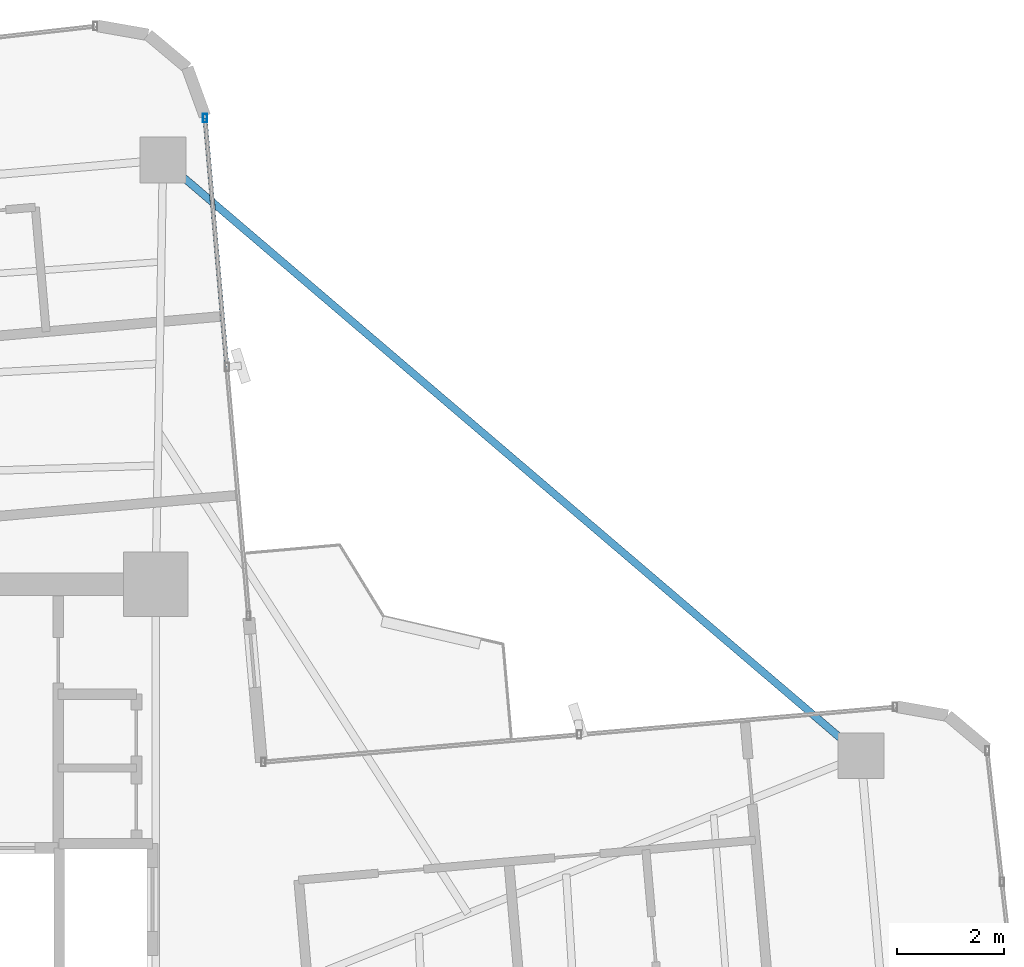
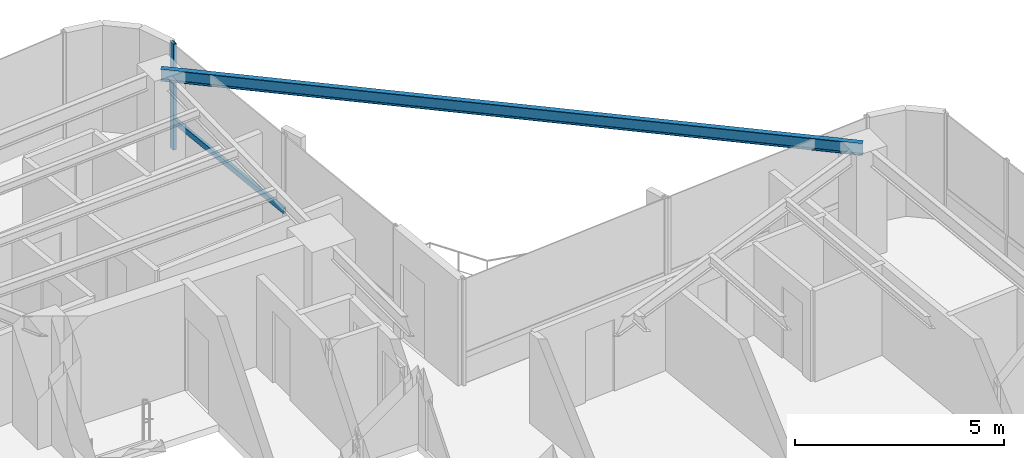
# One storey, part 17 of 24: 2 members, 1 beam, 1 element without a shape of its own.
"""IFC4 building model written with IfcOpenShell, lengths in metres."""

from ifc_helpers import new_model, si_unit, direction, frame, origin, origin_2d, place, context, subcontext, project, spatial, hollow_rectangle, i_section, extrude, source, transform, mapped, material, material_profile, profile_set, type_object, element, aggregate, save


model = new_model("IFC4")

# Units and contexts
model_context = context("Model", 3, precision=1e-05, world=origin(), true_north=direction((0.0, 1.0)))
body_context = subcontext(model_context, "Body", "Model", "MODEL_VIEW")
ifc_project = project(units=[si_unit("LENGTHUNIT", "METRE"), si_unit("AREAUNIT", "SQUARE_METRE"), si_unit("VOLUMEUNIT", "CUBIC_METRE"), si_unit("PLANEANGLEUNIT", "RADIAN"), si_unit("MASSUNIT", "GRAM", prefix="KILO")], contexts=[model_context])

# Site, building, storey
site_placement = place(None, origin())
site = spatial("IfcSite", under=ifc_project, at=site_placement, CompositionType="ELEMENT")
building_placement = place(site_placement, origin())
building = spatial("IfcBuilding", under=site, at=building_placement, Name="Sahyath Konkavel Grand Hotel", CompositionType="ELEMENT")
storey_placement = place(building_placement, frame((0.0, 0.0, 153.949951171875)))
storey = spatial("IfcBuildingStorey", under=building, at=storey_placement, Name="L42", CompositionType="ELEMENT", Elevation=153.949951171875)

# Beam
ifc_material_1 = material(Name="Steel E350", Category="steel")
ifc_material_profile_1 = material_profile(ifc_material_1, i_section(OverallWidth=0.139892578125, OverallDepth=0.35009765625, WebThickness=0.008056640625, FlangeThickness=0.01416015625, FilletRadius=0.013916015625, at=origin_2d()), Name="ISMB 350")
ifc_profile_set_1 = profile_set([ifc_material_profile_1], Name="Steel E350")
beam_type = type_object("IfcBeamType", Name="BM-ISMB350", PredefinedType="BEAM", material=ifc_profile_set_1)
shared_shape_1 = source(origin(), body_context, "Body", "SweptSolid", [
    extrude(i_section(OverallWidth=0.139892578125, OverallDepth=0.35009765625, WebThickness=0.008056640625, FlangeThickness=0.01416015625, FilletRadius=0.013916015625, at=origin_2d()), origin(), (0.0, 0.0, 1.0), 17.11279296875),
])
beam_placement = place(storey_placement, frame((16.9541015625, 7.00439453125, 2.93505859375), z_axis=(-0.760711911164, 0.649089661151, 0.0), x_axis=(-0.649089661151, -0.760711911164, 0.0)))
element("IfcBeam", 1, at=beam_placement, inside=storey, type_object=beam_type, Name="L42 Re-Entrant Tie Beam NE", PredefinedType="BEAM", context=body_context, shape_type="MappedRepresentation", body=[
    mapped(shared_shape_1, transform((0.0, 0.0, 0.0), scale=1.0)),
])

# Curtain wall, members
ifc_material_2 = material(Name="Anodised Bronze Aluminium & Low-E Glazing", Category="aluminium")
curtain_wall_type = type_object("IfcCurtainWallType", Name="CW-ZONE3", PredefinedType="NOTDEFINED", material=ifc_material_2)
curtain_wall_placement = place(storey_placement, origin())
curtain_wall = element("IfcCurtainWall", 2, at=curtain_wall_placement, inside=storey, type_object=curtain_wall_type, Name="L42 Unitised Curtain Wall F8", PredefinedType="NOTDEFINED")
ifc_material_3 = material(Name="Anodised Bronze Aluminium", Category="aluminium")
ifc_material_profile_2 = material_profile(ifc_material_3, hollow_rectangle(XDim=0.080078125, YDim=0.159912109375, WallThickness=0.006103515625, at=origin_2d()), Name="RHS 160x80x6")
ifc_profile_set_2 = profile_set([ifc_material_profile_2], Name="Anodised Bronze Aluminium")
member_type_1 = type_object("IfcMemberType", Name="CW-MUL-160", PredefinedType="MULLION", material=ifc_profile_set_2)
shared_shape_2 = source(origin(), body_context, "Body", "SweptSolid", [
    extrude(hollow_rectangle(XDim=0.080078125, YDim=0.159912109375, WallThickness=0.006103515625, at=origin_2d()), origin(), (0.0, 0.0, 1.0), 3.110107421875),
])
member_1_placement = place(storey_placement, frame((4.72119140625, 18.893310546875, 0.0), z_axis=(0.0, 0.0, 1.0), x_axis=(1.0, 0.0, 0.0)))
member_1 = element("IfcMember", 3, at=member_1_placement, type_object=member_type_1, Name="L42 Curtain Wall Mullion F8-2", PredefinedType="MULLION", context=body_context, shape_type="MappedRepresentation", body=[
    mapped(shared_shape_2, transform((0.0, 0.0, 0.0), scale=1.0)),
])
ifc_material_profile_3 = material_profile(ifc_material_3, hollow_rectangle(XDim=0.080078125, YDim=0.159912109375, WallThickness=0.006103515625, at=origin_2d()), Name="RHS 160x80x6")
ifc_profile_set_3 = profile_set([ifc_material_profile_3], Name="Anodised Bronze Aluminium")
member_type_2 = type_object("IfcMemberType", Name="CW-TRN-160", PredefinedType="USERDEFINED", material=ifc_profile_set_3)
shared_shape_3 = source(origin(), body_context, "Body", "SweptSolid", [
    extrude(hollow_rectangle(XDim=0.080078125, YDim=0.159912109375, WallThickness=0.006103515625, at=origin_2d()), origin(), (0.0, 0.0, 1.0), 4.659912109375),
])
member_2_placement = place(storey_placement, frame((5.12744140625, 14.251220703125, 0.85009765625), z_axis=(-0.087181248758, 0.996192466276, 0.0), x_axis=(-0.996192466276, -0.087181248758, 0.0)))
member_2 = element("IfcMember", 4, at=member_2_placement, type_object=member_type_2, Name="L42 Curtain Wall Transom F8-1-spandrel", ObjectType="TRANSOM", PredefinedType="USERDEFINED", context=body_context, shape_type="MappedRepresentation", body=[
    mapped(shared_shape_3, transform((0.0, 0.0, 0.0), scale=1.0)),
])
aggregate(curtain_wall, [member_1, member_2])

save(model, "model.ifc")
